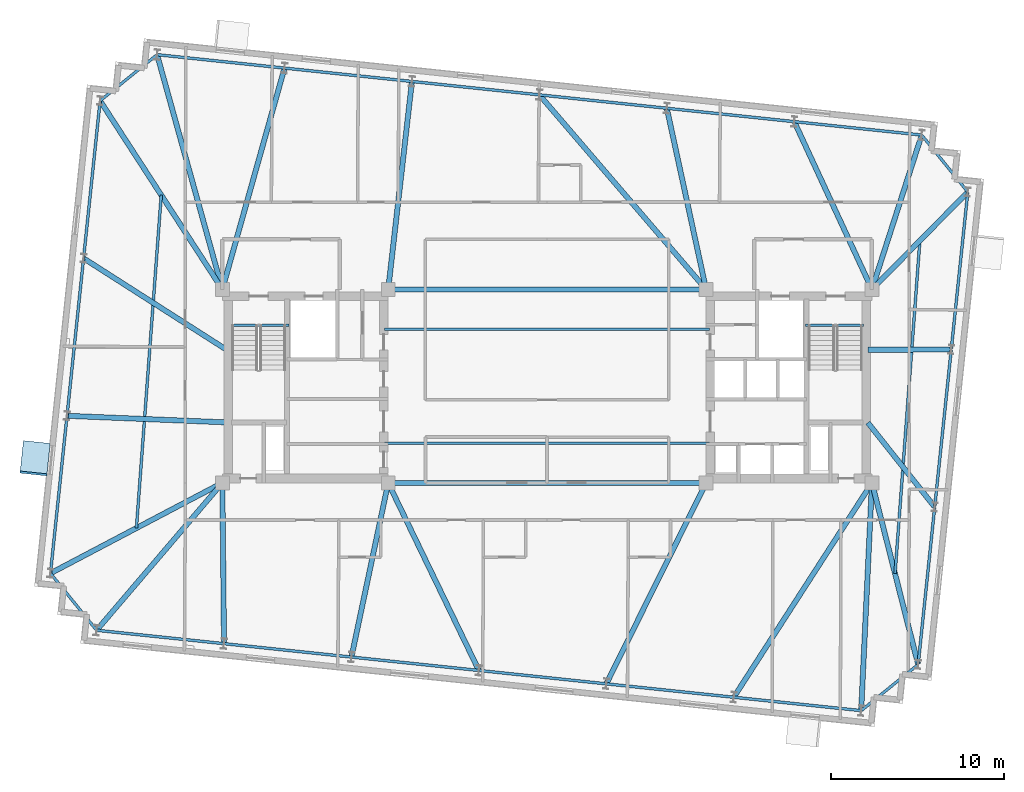
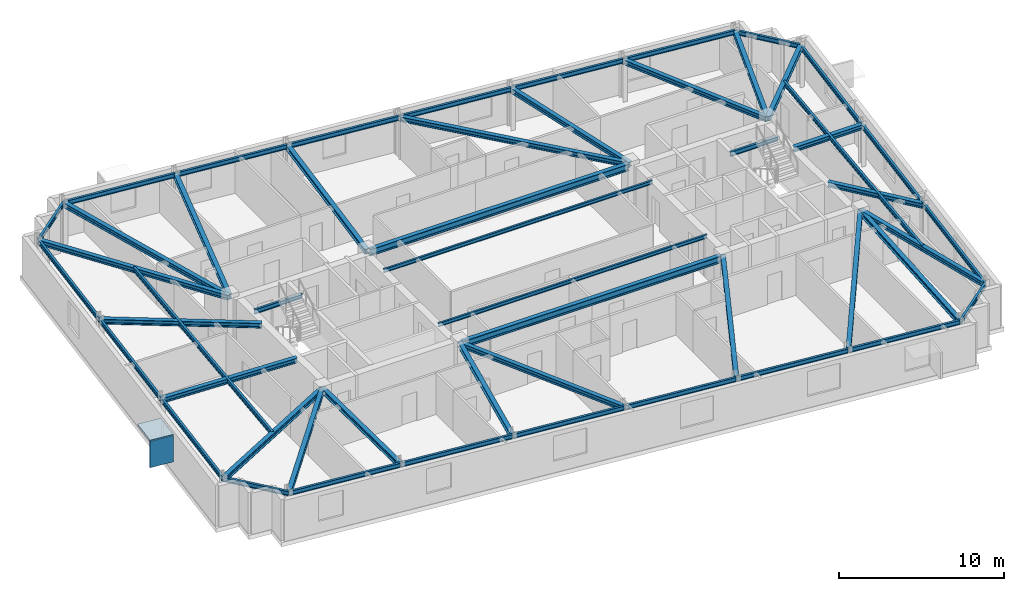
# One storey, part 4 of 11: 52 beams, 2 plates.
"""IFC4 building model written with IfcOpenShell, lengths in metres."""

from ifc_helpers import new_model, si_unit, direction, frame, origin, origin_2d, place, context, subcontext, project, spatial, rectangle, i_section, extrude, material, layer, layer_set, material_profile, profile_set, type_object, element, save


model = new_model("IFC4")

# Units and contexts
model_context = context("Model", 3, precision=1e-05, world=origin(), true_north=direction((0.0, 1.0)))
body_context = subcontext(model_context, "Body", "Model", "MODEL_VIEW")
ifc_project = project(units=[si_unit("LENGTHUNIT", "METRE"), si_unit("AREAUNIT", "SQUARE_METRE"), si_unit("VOLUMEUNIT", "CUBIC_METRE"), si_unit("PLANEANGLEUNIT", "RADIAN"), si_unit("MASSUNIT", "GRAM", prefix="KILO")], contexts=[model_context])

# Site, building, storey
site_placement = place(None, origin())
site = spatial("IfcSite", under=ifc_project, at=site_placement, CompositionType="ELEMENT")
building_placement = place(site_placement, origin())
building = spatial("IfcBuilding", under=site, at=building_placement, Name="Qobustan Lattice House", CompositionType="ELEMENT")
storey_placement = place(building_placement, frame((0.0, 0.0, 193.050048828125)))
storey = spatial("IfcBuildingStorey", under=building, at=storey_placement, Name="L54", CompositionType="ELEMENT", Elevation=193.050048828125)

# Beams
ifc_material_1 = material(Name="Steel S355", Category="steel")
ifc_material_profile_1 = material_profile(ifc_material_1, i_section(OverallWidth=0.300048828125, OverallDepth=0.5, WebThickness=0.014404296875, FlangeThickness=0.028076171875, FilletRadius=0.027099609375, at=origin_2d()), Name="HEB500")
ifc_profile_set_1 = profile_set([ifc_material_profile_1], Name="Steel S355")
beam_type_1 = type_object("IfcBeamType", Name="BM-CG-HEB500", PredefinedType="USERDEFINED", material=ifc_profile_set_1)
for number, where, z_axis, x_axis, name in (
    (1, (-9.050048828125, -5.60009765625, 2.7900390625), (1.0, 0.0, 0.0), (0.0, 1.0, 0.0), "L54 core spine girder CG-CS"),
    (2, (-9.050048828125, 5.60009765625, 2.7900390625), (1.0, 0.0, 0.0), (0.0, 1.0, 0.0), "L54 core spine girder CG-CN"),
):
    element("IfcBeam", number, at=place(storey_placement, frame(where, z_axis=z_axis, x_axis=x_axis)), inside=storey, type_object=beam_type_1, Name=name, ObjectType="GIRDER", PredefinedType="USERDEFINED", context=body_context, shape_type="SweptSolid", body=[
        extrude(i_section(OverallWidth=0.300048828125, OverallDepth=0.5, WebThickness=0.014404296875, FlangeThickness=0.028076171875, FilletRadius=0.027099609375, at=origin_2d()), origin(), (0.0, 0.0, 1.0), 18.10009765625),
    ])
ifc_material_2 = material(Name="Steel S355", Category="steel")
ifc_material_profile_2 = material_profile(ifc_material_2, i_section(OverallWidth=0.300048828125, OverallDepth=0.360107421875, WebThickness=0.012451171875, FlangeThickness=0.0224609375, FilletRadius=0.027099609375, at=origin_2d()), Name="HEB360")
ifc_profile_set_2 = profile_set([ifc_material_profile_2], Name="Steel S355")
beam_type_2 = type_object("IfcBeamType", Name="BM-FLG-HEB360", PredefinedType="USERDEFINED", material=ifc_profile_set_2)
beam_1_placement = place(storey_placement, frame((-26.062744140625, -14.113525390625, 2.85986328125), z_axis=(0.649006911642, 0.760782510736, 0.0), x_axis=(-0.760782510736, 0.649006911642, 0.0)))
element("IfcBeam", 3, at=beam_1_placement, inside=storey, type_object=beam_type_2, Name="L54 primary floor girder RAD-S1W", ObjectType="GIRDER", PredefinedType="USERDEFINED", context=body_context, shape_type="SweptSolid", body=[
    extrude(i_section(OverallWidth=0.300048828125, OverallDepth=0.360107421875, WebThickness=0.012451171875, FlangeThickness=0.0224609375, FilletRadius=0.027099609375, at=origin_2d()), origin(), (0.0, 0.0, 1.0), 11.16552734375),
])
beam_2_placement = place(storey_placement, frame((-18.703125, -14.8828125, 2.85986328125), z_axis=(-0.010442468578, 0.999945475939, 0.0), x_axis=(-0.999945475939, -0.010442468578, 0.0)))
element("IfcBeam", 4, at=beam_2_placement, inside=storey, type_object=beam_type_2, Name="L54 primary floor girder RAD-S2", ObjectType="GIRDER", PredefinedType="USERDEFINED", context=body_context, shape_type="SweptSolid", body=[
    extrude(i_section(OverallWidth=0.300048828125, OverallDepth=0.360107421875, WebThickness=0.012451171875, FlangeThickness=0.0224609375, FilletRadius=0.027099609375, at=origin_2d()), origin(), (0.0, 0.0, 1.0), 9.25830078125),
])
beam_3_placement = place(storey_placement, frame((-11.32177734375, -15.658447265625, 2.85986328125), z_axis=(0.206411213198, 0.978465334627, 0.0), x_axis=(-0.978465334627, 0.206411213198, 0.0)))
element("IfcBeam", 5, at=beam_3_placement, inside=storey, type_object=beam_type_2, Name="L54 primary floor girder RAD-S3", ObjectType="GIRDER", PredefinedType="USERDEFINED", context=body_context, shape_type="SweptSolid", body=[
    extrude(i_section(OverallWidth=0.300048828125, OverallDepth=0.360107421875, WebThickness=0.012451171875, FlangeThickness=0.0224609375, FilletRadius=0.027099609375, at=origin_2d()), origin(), (0.0, 0.0, 1.0), 10.2548828125),
])
beam_4_placement = place(storey_placement, frame((-3.9619140625, -16.435791015625, 2.85986328125), z_axis=(-0.435229353302, 0.900319615483, 0.0), x_axis=(-0.900319615483, -0.435229353302, 0.0)))
element("IfcBeam", 6, at=beam_4_placement, inside=storey, type_object=beam_type_2, Name="L54 primary floor girder RAD-S4", ObjectType="GIRDER", PredefinedType="USERDEFINED", context=body_context, shape_type="SweptSolid", body=[
    extrude(i_section(OverallWidth=0.300048828125, OverallDepth=0.360107421875, WebThickness=0.012451171875, FlangeThickness=0.0224609375, FilletRadius=0.027099609375, at=origin_2d()), origin(), (0.0, 0.0, 1.0), 12.010498046875),
])
beam_5_placement = place(storey_placement, frame((3.436279296875, -17.211181640625, 2.85986328125), z_axis=(0.444630337125, 0.895714163843, 0.0), x_axis=(-0.895714163843, 0.444630337125, 0.0)))
element("IfcBeam", 7, at=beam_5_placement, inside=storey, type_object=beam_type_2, Name="L54 primary floor girder RAD-S5", ObjectType="GIRDER", PredefinedType="USERDEFINED", context=body_context, shape_type="SweptSolid", body=[
    extrude(i_section(OverallWidth=0.300048828125, OverallDepth=0.360107421875, WebThickness=0.012451171875, FlangeThickness=0.0224609375, FilletRadius=0.027099609375, at=origin_2d()), origin(), (0.0, 0.0, 1.0), 12.938232421875),
])
beam_6_placement = place(storey_placement, frame((10.814697265625, -17.98779296875, 2.85986328125), z_axis=(0.541810491961, 0.840500678644, 0.0), x_axis=(-0.840500678644, 0.541810491961, 0.0)))
element("IfcBeam", 8, at=beam_6_placement, inside=storey, type_object=beam_type_2, Name="L54 primary floor girder RAD-S6", ObjectType="GIRDER", PredefinedType="USERDEFINED", context=body_context, shape_type="SweptSolid", body=[
    extrude(i_section(OverallWidth=0.300048828125, OverallDepth=0.360107421875, WebThickness=0.012451171875, FlangeThickness=0.0224609375, FilletRadius=0.027099609375, at=origin_2d()), origin(), (0.0, 0.0, 1.0), 14.71337890625),
])
beam_7_placement = place(storey_placement, frame((18.178466796875, -18.759033203125, 2.85986328125), z_axis=(0.047180517312, 0.998886379318, 0.0), x_axis=(-0.998886379318, 0.047180517312, 0.0)))
element("IfcBeam", 9, at=beam_7_placement, inside=storey, type_object=beam_type_2, Name="L54 primary floor girder RAD-S7E", ObjectType="GIRDER", PredefinedType="USERDEFINED", context=body_context, shape_type="SweptSolid", body=[
    extrude(i_section(OverallWidth=0.300048828125, OverallDepth=0.360107421875, WebThickness=0.012451171875, FlangeThickness=0.0224609375, FilletRadius=0.027099609375, at=origin_2d()), origin(), (0.0, 0.0, 1.0), 13.148681640625),
])
beam_8_placement = place(storey_placement, frame((-22.570556640625, 19.159912109375, 2.85986328125), z_axis=(0.267904661715, -0.963445427739, 0.0), x_axis=(0.963445427739, 0.267904661715, 0.0)))
element("IfcBeam", 10, at=beam_8_placement, inside=storey, type_object=beam_type_2, Name="L54 primary floor girder RAD-N7W", ObjectType="GIRDER", PredefinedType="USERDEFINED", context=body_context, shape_type="SweptSolid", body=[
    extrude(i_section(OverallWidth=0.300048828125, OverallDepth=0.360107421875, WebThickness=0.012451171875, FlangeThickness=0.0224609375, FilletRadius=0.027099609375, at=origin_2d()), origin(), (0.0, 0.0, 1.0), 14.049560546875),
])
beam_9_placement = place(storey_placement, frame((-15.2080078125, 18.384521484375, 2.85986328125), z_axis=(-0.270487929903, -0.962723366174, 0.0), x_axis=(0.962723366174, -0.270487929903, 0.0)))
element("IfcBeam", 11, at=beam_9_placement, inside=storey, type_object=beam_type_2, Name="L54 primary floor girder RAD-N6", ObjectType="GIRDER", PredefinedType="USERDEFINED", context=body_context, shape_type="SweptSolid", body=[
    extrude(i_section(OverallWidth=0.300048828125, OverallDepth=0.360107421875, WebThickness=0.012451171875, FlangeThickness=0.0224609375, FilletRadius=0.027099609375, at=origin_2d()), origin(), (0.0, 0.0, 1.0), 13.254638671875),
])
beam_10_placement = place(storey_placement, frame((-7.827880859375, 17.608642578125, 2.85986328125), z_axis=(-0.11353003651, -0.993534564477, 0.0), x_axis=(0.993534564477, -0.11353003651, 0.0)))
element("IfcBeam", 12, at=beam_10_placement, inside=storey, type_object=beam_type_2, Name="L54 primary floor girder RAD-N5", ObjectType="GIRDER", PredefinedType="USERDEFINED", context=body_context, shape_type="SweptSolid", body=[
    extrude(i_section(OverallWidth=0.300048828125, OverallDepth=0.360107421875, WebThickness=0.012451171875, FlangeThickness=0.0224609375, FilletRadius=0.027099609375, at=origin_2d()), origin(), (0.0, 0.0, 1.0), 12.061767578125),
])
beam_11_placement = place(storey_placement, frame((-0.432861328125, 16.839111328125, 2.85986328125), z_axis=(0.650757358368, -0.759285756833, 0.0), x_axis=(0.759285756833, 0.650757358368, 0.0)))
element("IfcBeam", 13, at=beam_11_placement, inside=storey, type_object=beam_type_2, Name="L54 primary floor girder RAD-N4", ObjectType="GIRDER", PredefinedType="USERDEFINED", context=body_context, shape_type="SweptSolid", body=[
    extrude(i_section(OverallWidth=0.300048828125, OverallDepth=0.360107421875, WebThickness=0.012451171875, FlangeThickness=0.0224609375, FilletRadius=0.027099609375, at=origin_2d()), origin(), (0.0, 0.0, 1.0), 14.77734375),
])
beam_12_placement = place(storey_placement, frame((6.93212890625, 16.05859375, 2.85986328125), z_axis=(0.211908420044, -0.977289527988, 0.0), x_axis=(0.977289527988, 0.211908420044, 0.0)))
element("IfcBeam", 14, at=beam_12_placement, inside=storey, type_object=beam_type_2, Name="L54 primary floor girder RAD-N3", ObjectType="GIRDER", PredefinedType="USERDEFINED", context=body_context, shape_type="SweptSolid", body=[
    extrude(i_section(OverallWidth=0.300048828125, OverallDepth=0.360107421875, WebThickness=0.012451171875, FlangeThickness=0.0224609375, FilletRadius=0.027099609375, at=origin_2d()), origin(), (0.0, 0.0, 1.0), 10.676513671875),
])
beam_13_placement = place(storey_placement, frame((14.3134765625, 15.284912109375, 2.85986328125), z_axis=(0.420345924661, -0.907363931188, 0.0), x_axis=(0.907363931188, 0.420345924661, 0.0)))
element("IfcBeam", 15, at=beam_13_placement, inside=storey, type_object=beam_type_2, Name="L54 primary floor girder RAD-N2", ObjectType="GIRDER", PredefinedType="USERDEFINED", context=body_context, shape_type="SweptSolid", body=[
    extrude(i_section(OverallWidth=0.300048828125, OverallDepth=0.360107421875, WebThickness=0.012451171875, FlangeThickness=0.0224609375, FilletRadius=0.027099609375, at=origin_2d()), origin(), (0.0, 0.0, 1.0), 10.6484375),
])
beam_14_placement = place(storey_placement, frame((21.67138671875, 14.5087890625, 2.85986328125), z_axis=(-0.306773532579, -0.951782538035, 0.0), x_axis=(0.951782538035, -0.306773532579, 0.0)))
element("IfcBeam", 16, at=beam_14_placement, inside=storey, type_object=beam_type_2, Name="L54 primary floor girder RAD-N1E", ObjectType="GIRDER", PredefinedType="USERDEFINED", context=body_context, shape_type="SweptSolid", body=[
    extrude(i_section(OverallWidth=0.300048828125, OverallDepth=0.360107421875, WebThickness=0.012451171875, FlangeThickness=0.0224609375, FilletRadius=0.027099609375, at=origin_2d()), origin(), (0.0, 0.0, 1.0), 9.335205078125),
])
beam_15_placement = place(storey_placement, frame((-25.86083984375, 16.492919921875, 2.85986328125), z_axis=(0.543926170046, -0.839133077371, 0.0), x_axis=(0.839133077371, 0.543926170046, 0.0)))
element("IfcBeam", 17, at=beam_15_placement, inside=storey, type_object=beam_type_2, Name="L54 primary floor girder RAD-W1", ObjectType="GIRDER", PredefinedType="USERDEFINED", context=body_context, shape_type="SweptSolid", body=[
    extrude(i_section(OverallWidth=0.300048828125, OverallDepth=0.360107421875, WebThickness=0.012451171875, FlangeThickness=0.0224609375, FilletRadius=0.027099609375, at=origin_2d()), origin(), (0.0, 0.0, 1.0), 12.9560546875),
])
beam_16_placement = place(storey_placement, frame((-26.8115234375, 7.384033203125, 2.85986328125), z_axis=(0.842429105495, -0.538807203195, 0.0), x_axis=(0.538807203195, 0.842429105495, 0.0)))
element("IfcBeam", 18, at=beam_16_placement, inside=storey, type_object=beam_type_2, Name="L54 primary floor girder RAD-W2", ObjectType="GIRDER", PredefinedType="USERDEFINED", context=body_context, shape_type="SweptSolid", body=[
    extrude(i_section(OverallWidth=0.300048828125, OverallDepth=0.360107421875, WebThickness=0.012451171875, FlangeThickness=0.0224609375, FilletRadius=0.027099609375, at=origin_2d()), origin(), (0.0, 0.0, 1.0), 9.78173828125),
])
beam_17_placement = place(storey_placement, frame((-27.765869140625, -1.719970703125, 2.85986328125), z_axis=(0.999150190925, -0.041217665795, 0.0), x_axis=(0.041217665795, 0.999150190925, 0.0)))
element("IfcBeam", 19, at=beam_17_placement, inside=storey, type_object=beam_type_2, Name="L54 primary floor girder RAD-W3", ObjectType="GIRDER", PredefinedType="USERDEFINED", context=body_context, shape_type="SweptSolid", body=[
    extrude(i_section(OverallWidth=0.300048828125, OverallDepth=0.360107421875, WebThickness=0.012451171875, FlangeThickness=0.0224609375, FilletRadius=0.027099609375, at=origin_2d()), origin(), (0.0, 0.0, 1.0), 9.19873046875),
])
beam_18_placement = place(storey_placement, frame((-28.726806640625, -10.82373046875, 2.85986328125), z_axis=(0.884950868639, 0.465684399669, 0.0), x_axis=(-0.465684399669, 0.884950868639, 0.0)))
element("IfcBeam", 20, at=beam_18_placement, inside=storey, type_object=beam_type_2, Name="L54 primary floor girder RAD-W4", ObjectType="GIRDER", PredefinedType="USERDEFINED", context=body_context, shape_type="SweptSolid", body=[
    extrude(i_section(OverallWidth=0.300048828125, OverallDepth=0.360107421875, WebThickness=0.012451171875, FlangeThickness=0.0224609375, FilletRadius=0.027099609375, at=origin_2d()), origin(), (0.0, 0.0, 1.0), 11.1923828125),
])
beam_19_placement = place(storey_placement, frame((24.331298828125, 11.217529296875, 2.85986328125), z_axis=(-0.701633616284, -0.712537906712, 0.0), x_axis=(0.712537906712, -0.701633616284, 0.0)))
element("IfcBeam", 21, at=beam_19_placement, inside=storey, type_object=beam_type_2, Name="L54 primary floor girder RAD-E4", ObjectType="GIRDER", PredefinedType="USERDEFINED", context=body_context, shape_type="SweptSolid", body=[
    extrude(i_section(OverallWidth=0.300048828125, OverallDepth=0.360107421875, WebThickness=0.012451171875, FlangeThickness=0.0224609375, FilletRadius=0.027099609375, at=origin_2d()), origin(), (0.0, 0.0, 1.0), 7.858642578125),
])
beam_20_placement = place(storey_placement, frame((23.36572265625, 2.118896484375, 2.85986328125), z_axis=(-0.999992301331, -0.003923936564, 0.0), x_axis=(0.003923936564, -0.999992301331, 0.0)))
element("IfcBeam", 22, at=beam_20_placement, inside=storey, type_object=beam_type_2, Name="L54 primary floor girder RAD-E3", ObjectType="GIRDER", PredefinedType="USERDEFINED", context=body_context, shape_type="SweptSolid", body=[
    extrude(i_section(OverallWidth=0.300048828125, OverallDepth=0.360107421875, WebThickness=0.012451171875, FlangeThickness=0.0224609375, FilletRadius=0.027099609375, at=origin_2d()), origin(), (0.0, 0.0, 1.0), 4.790771484375),
])
beam_21_placement = place(storey_placement, frame((22.4169921875, -6.97802734375, 2.85986328125), z_axis=(-0.621231320857, 0.783627236629, 0.0), x_axis=(-0.783627236629, -0.621231320857, 0.0)))
element("IfcBeam", 23, at=beam_21_placement, inside=storey, type_object=beam_type_2, Name="L54 primary floor girder RAD-E2", ObjectType="GIRDER", PredefinedType="USERDEFINED", context=body_context, shape_type="SweptSolid", body=[
    extrude(i_section(OverallWidth=0.300048828125, OverallDepth=0.360107421875, WebThickness=0.012451171875, FlangeThickness=0.0224609375, FilletRadius=0.027099609375, at=origin_2d()), origin(), (0.0, 0.0, 1.0), 6.199951171875),
])
beam_22_placement = place(storey_placement, frame((21.46826171875, -16.08984375, 2.85986328125), z_axis=(-0.246517911643, 0.969138235361, 0.0), x_axis=(-0.969138235361, -0.246517911643, 0.0)))
element("IfcBeam", 24, at=beam_22_placement, inside=storey, type_object=beam_type_2, Name="L54 primary floor girder RAD-E1", ObjectType="GIRDER", PredefinedType="USERDEFINED", context=body_context, shape_type="SweptSolid", body=[
    extrude(i_section(OverallWidth=0.300048828125, OverallDepth=0.360107421875, WebThickness=0.012451171875, FlangeThickness=0.0224609375, FilletRadius=0.027099609375, at=origin_2d()), origin(), (0.0, 0.0, 1.0), 10.798828125),
])
ifc_material_3 = material(Name="Steel S355", Category="steel")
ifc_material_profile_3 = material_profile(ifc_material_3, i_section(OverallWidth=0.135009765625, OverallDepth=0.27001953125, WebThickness=0.006591796875, FlangeThickness=0.01025390625, FilletRadius=0.014892578125, at=origin_2d()), Name="IPE270")
ifc_profile_set_3 = profile_set([ifc_material_profile_3], Name="Steel S355")
beam_type_3 = type_object("IfcBeamType", Name="BM-JST-IPE270", PredefinedType="JOIST", material=ifc_profile_set_3)
for number, where, z_axis, x_axis, name in (
    (25, (-9.39990234375, -3.300048828125, 2.905029296875), (1.0, 0.0, 0.0), (0.0, 1.0, 0.0), "L54 central span floor joist 1"),
    (26, (-9.39990234375, 3.300048828125, 2.905029296875), (1.0, 0.0, 0.0), (0.0, 1.0, 0.0), "L54 central span floor joist 2"),
):
    element("IfcBeam", number, at=place(storey_placement, frame(where, z_axis=z_axis, x_axis=x_axis)), inside=storey, type_object=beam_type_3, Name=name, PredefinedType="JOIST", context=body_context, shape_type="SweptSolid", body=[
        extrude(i_section(OverallWidth=0.135009765625, OverallDepth=0.27001953125, WebThickness=0.006591796875, FlangeThickness=0.01025390625, FilletRadius=0.014892578125, at=origin_2d()), origin(), (0.0, 0.0, 1.0), 18.7998046875),
    ])
ifc_material_4 = material(Name="Steel S355", Category="steel")
ifc_material_profile_4 = material_profile(ifc_material_4, i_section(OverallWidth=0.159912109375, OverallDepth=0.330078125, WebThickness=0.007568359375, FlangeThickness=0.011474609375, FilletRadius=0.01806640625, at=origin_2d()), Name="IPE330")
ifc_profile_set_4 = profile_set([ifc_material_profile_4], Name="Steel S355")
beam_type_4 = type_object("IfcBeamType", Name="BM-SEC-IPE330", PredefinedType="BEAM", material=ifc_profile_set_4)
beam_23_placement = place(storey_placement, frame((-22.337158203125, 11.056884765625, 2.875), z_axis=(-0.074361616657, -0.997231342251, 0.0), x_axis=(0.997231342251, -0.074361616657, 0.0)))
element("IfcBeam", 27, at=beam_23_placement, inside=storey, type_object=beam_type_4, Name="L54 west wing secondary beam", PredefinedType="BEAM", context=body_context, shape_type="SweptSolid", body=[
    extrude(i_section(OverallWidth=0.159912109375, OverallDepth=0.330078125, WebThickness=0.007568359375, FlangeThickness=0.011474609375, FilletRadius=0.01806640625, at=origin_2d()), origin(), (0.0, 0.0, 1.0), 19.327880859375),
])
beam_24_placement = place(storey_placement, frame((21.574462890625, 8.417724609375, 2.875), z_axis=(-0.074360679971, -0.997231412098, 0.0), x_axis=(0.997231412098, -0.074360679971, 0.0)))
element("IfcBeam", 28, at=beam_24_placement, inside=storey, type_object=beam_type_4, Name="L54 east wing secondary beam", PredefinedType="BEAM", context=body_context, shape_type="SweptSolid", body=[
    extrude(i_section(OverallWidth=0.159912109375, OverallDepth=0.330078125, WebThickness=0.007568359375, FlangeThickness=0.011474609375, FilletRadius=0.01806640625, at=origin_2d()), origin(), (0.0, 0.0, 1.0), 19.328125),
])
ifc_material_5 = material(Name="Steel S355", Category="steel")
ifc_material_profile_5 = material_profile(ifc_material_5, i_section(OverallWidth=0.159912109375, OverallDepth=0.330078125, WebThickness=0.007568359375, FlangeThickness=0.011474609375, FilletRadius=0.01806640625, at=origin_2d()), Name="IPE330")
ifc_profile_set_5 = profile_set([ifc_material_profile_5], Name="Steel S355")
beam_type_5 = type_object("IfcBeamType", Name="BM-SPD-IPE330", PredefinedType="SPANDREL", material=ifc_profile_set_5)
for number, where, z_axis, x_axis, name in (
    (29, (-18.300048828125, 3.52001953125, 2.875), (1.0, 0.0, 0.0), (0.0, 1.0, 0.0), "L54 west stair landing trimmer beam"),
    (30, (14.949951171875, 3.52001953125, 2.875), (1.0, 0.0, 0.0), (0.0, 1.0, 0.0), "L54 east stair landing trimmer beam"),
):
    element("IfcBeam", number, at=place(storey_placement, frame(where, z_axis=z_axis, x_axis=x_axis)), inside=storey, type_object=beam_type_5, Name=name, PredefinedType="SPANDREL", context=body_context, shape_type="SweptSolid", body=[
        extrude(i_section(OverallWidth=0.159912109375, OverallDepth=0.330078125, WebThickness=0.007568359375, FlangeThickness=0.011474609375, FilletRadius=0.01806640625, at=origin_2d()), origin(), (0.0, 0.0, 1.0), 3.35009765625),
    ])
beam_25_placement = place(storey_placement, frame((-26.05419921875, -14.135009765625, 2.875), z_axis=(0.99452214685, -0.104526070551, 0.0), x_axis=(0.104526070551, 0.99452214685, 0.0)))
element("IfcBeam", 31, at=beam_25_placement, inside=storey, type_object=beam_type_5, Name="L54 perimeter spandrel S1-S2", PredefinedType="SPANDREL", context=body_context, shape_type="SweptSolid", body=[
    extrude(i_section(OverallWidth=0.159912109375, OverallDepth=0.330078125, WebThickness=0.007568359375, FlangeThickness=0.011474609375, FilletRadius=0.01806640625, at=origin_2d()), origin(), (0.0, 0.0, 1.0), 7.36669921875),
])
for number, where, z_axis, x_axis, name in (
    (32, (-18.677978515625, -14.910400390625, 2.875), (0.994521784746, -0.104529515765, 0.0), (0.104529515765, 0.994521784746, 0.0), "L54 perimeter spandrel S2-S3"),
    (33, (-11.302001953125, -15.685546875, 2.875), (0.994521784746, -0.104529515765, 0.0), (0.104529515765, 0.994521784746, 0.0), "L54 perimeter spandrel S3-S4"),
):
    element("IfcBeam", number, at=place(storey_placement, frame(where, z_axis=z_axis, x_axis=x_axis)), inside=storey, type_object=beam_type_5, Name=name, PredefinedType="SPANDREL", context=body_context, shape_type="SweptSolid", body=[
        extrude(i_section(OverallWidth=0.159912109375, OverallDepth=0.330078125, WebThickness=0.007568359375, FlangeThickness=0.011474609375, FilletRadius=0.01806640625, at=origin_2d()), origin(), (0.0, 0.0, 1.0), 7.366455078125),
    ])
beam_26_placement = place(storey_placement, frame((-3.926025390625, -16.460693359375, 2.875), z_axis=(0.99451870122, -0.10455884909, 0.0), x_axis=(0.10455884909, 0.99451870122, 0.0)))
element("IfcBeam", 34, at=beam_26_placement, inside=storey, type_object=beam_type_5, Name="L54 perimeter spandrel S4-S5", PredefinedType="SPANDREL", context=body_context, shape_type="SweptSolid", body=[
    extrude(i_section(OverallWidth=0.159912109375, OverallDepth=0.330078125, WebThickness=0.007568359375, FlangeThickness=0.011474609375, FilletRadius=0.01806640625, at=origin_2d()), origin(), (0.0, 0.0, 1.0), 7.36669921875),
])
for number, where, z_axis, x_axis, name in (
    (35, (3.4501953125, -17.236083984375, 2.875), (0.994521784746, -0.104529515765, 0.0), (0.104529515765, 0.994521784746, 0.0), "L54 perimeter spandrel S5-S6"),
    (36, (10.826171875, -18.01123046875, 2.875), (0.99451833889, -0.104562295361, 0.0), (0.104562295361, 0.99451833889, 0.0), "L54 perimeter spandrel S6-S7"),
):
    element("IfcBeam", number, at=place(storey_placement, frame(where, z_axis=z_axis, x_axis=x_axis)), inside=storey, type_object=beam_type_5, Name=name, PredefinedType="SPANDREL", context=body_context, shape_type="SweptSolid", body=[
        extrude(i_section(OverallWidth=0.159912109375, OverallDepth=0.330078125, WebThickness=0.007568359375, FlangeThickness=0.011474609375, FilletRadius=0.01806640625, at=origin_2d()), origin(), (0.0, 0.0, 1.0), 7.366455078125),
    ])
beam_27_placement = place(storey_placement, frame((18.19677734375, -18.768310546875, 2.875), z_axis=(0.777128239225, 0.629342275554, 0.0), x_axis=(-0.629342275554, 0.777128239225, 0.0)))
element("IfcBeam", 37, at=beam_27_placement, inside=storey, type_object=beam_type_5, Name="L54 perimeter spandrel S7-E1", PredefinedType="SPANDREL", context=body_context, shape_type="SweptSolid", body=[
    extrude(i_section(OverallWidth=0.159912109375, OverallDepth=0.330078125, WebThickness=0.007568359375, FlangeThickness=0.011474609375, FilletRadius=0.01806640625, at=origin_2d()), origin(), (0.0, 0.0, 1.0), 4.192626953125),
])
for number, where, z_axis, x_axis, name in (
    (38, (21.47705078125, -16.089111328125, 2.875), (0.10452168293, 0.994522607987, 0.0), (-0.994522607987, 0.10452168293, 0.0), "L54 perimeter spandrel E1-E2"),
    (39, (22.435302734375, -6.97265625, 2.875), (0.10452168293, 0.994522607987, 0.0), (-0.994522607987, 0.10452168293, 0.0), "L54 perimeter spandrel E2-E3"),
    (40, (23.393310546875, 2.143798828125, 2.875), (0.10452168293, 0.994522607987, 0.0), (-0.994522607987, 0.10452168293, 0.0), "L54 perimeter spandrel E3-E4"),
):
    element("IfcBeam", number, at=place(storey_placement, frame(where, z_axis=z_axis, x_axis=x_axis)), inside=storey, type_object=beam_type_5, Name=name, PredefinedType="SPANDREL", context=body_context, shape_type="SweptSolid", body=[
        extrude(i_section(OverallWidth=0.159912109375, OverallDepth=0.330078125, WebThickness=0.007568359375, FlangeThickness=0.011474609375, FilletRadius=0.01806640625, at=origin_2d()), origin(), (0.0, 0.0, 1.0), 9.11669921875),
    ])
beam_28_placement = place(storey_placement, frame((24.333251953125, 11.254638671875, 2.875), z_axis=(-0.629313797654, 0.777151300637, 0.0), x_axis=(-0.777151300637, -0.629313797654, 0.0)))
element("IfcBeam", 41, at=beam_28_placement, inside=storey, type_object=beam_type_5, Name="L54 perimeter spandrel E4-N1", PredefinedType="SPANDREL", context=body_context, shape_type="SweptSolid", body=[
    extrude(i_section(OverallWidth=0.159912109375, OverallDepth=0.330078125, WebThickness=0.007568359375, FlangeThickness=0.011474609375, FilletRadius=0.01806640625, at=origin_2d()), origin(), (0.0, 0.0, 1.0), 4.19287109375),
])
for number, where, z_axis, x_axis, name in (
    (42, (21.654052734375, 14.53515625, 2.875), (-0.994521784746, 0.104529515765, 0.0), (-0.104529515765, -0.994521784746, 0.0), "L54 perimeter spandrel N1-N2"),
    (43, (14.278076171875, 15.310302734375, 2.875), (-0.994521784746, 0.104529515765, 0.0), (-0.104529515765, -0.994521784746, 0.0), "L54 perimeter spandrel N2-N3"),
):
    element("IfcBeam", number, at=place(storey_placement, frame(where, z_axis=z_axis, x_axis=x_axis)), inside=storey, type_object=beam_type_5, Name=name, PredefinedType="SPANDREL", context=body_context, shape_type="SweptSolid", body=[
        extrude(i_section(OverallWidth=0.159912109375, OverallDepth=0.330078125, WebThickness=0.007568359375, FlangeThickness=0.011474609375, FilletRadius=0.01806640625, at=origin_2d()), origin(), (0.0, 0.0, 1.0), 7.366455078125),
    ])
beam_29_placement = place(storey_placement, frame((6.902099609375, 16.085693359375, 2.875), z_axis=(-0.99452214685, 0.104526070551, 0.0), x_axis=(-0.104526070551, -0.99452214685, 0.0)))
element("IfcBeam", 44, at=beam_29_placement, inside=storey, type_object=beam_type_5, Name="L54 perimeter spandrel N3-N4", PredefinedType="SPANDREL", context=body_context, shape_type="SweptSolid", body=[
    extrude(i_section(OverallWidth=0.159912109375, OverallDepth=0.330078125, WebThickness=0.007568359375, FlangeThickness=0.011474609375, FilletRadius=0.01806640625, at=origin_2d()), origin(), (0.0, 0.0, 1.0), 7.36669921875),
])
for number, where, z_axis, x_axis, name in (
    (45, (-0.47412109375, 16.86083984375, 2.875), (-0.994521784746, 0.104529515765, 0.0), (-0.104529515765, -0.994521784746, 0.0), "L54 perimeter spandrel N4-N5"),
    (46, (-7.85009765625, 17.635986328125, 2.875), (-0.994521784746, 0.104529515765, 0.0), (-0.104529515765, -0.994521784746, 0.0), "L54 perimeter spandrel N5-N6"),
):
    element("IfcBeam", number, at=place(storey_placement, frame(where, z_axis=z_axis, x_axis=x_axis)), inside=storey, type_object=beam_type_5, Name=name, PredefinedType="SPANDREL", context=body_context, shape_type="SweptSolid", body=[
        extrude(i_section(OverallWidth=0.159912109375, OverallDepth=0.330078125, WebThickness=0.007568359375, FlangeThickness=0.011474609375, FilletRadius=0.01806640625, at=origin_2d()), origin(), (0.0, 0.0, 1.0), 7.366455078125),
    ])
beam_30_placement = place(storey_placement, frame((-15.22607421875, 18.411376953125, 2.875), z_axis=(-0.99452214685, 0.104526070551, 0.0), x_axis=(-0.104526070551, -0.99452214685, 0.0)))
element("IfcBeam", 47, at=beam_30_placement, inside=storey, type_object=beam_type_5, Name="L54 perimeter spandrel N6-N7", PredefinedType="SPANDREL", context=body_context, shape_type="SweptSolid", body=[
    extrude(i_section(OverallWidth=0.159912109375, OverallDepth=0.330078125, WebThickness=0.007568359375, FlangeThickness=0.011474609375, FilletRadius=0.01806640625, at=origin_2d()), origin(), (0.0, 0.0, 1.0), 7.36669921875),
])
beam_31_placement = place(storey_placement, frame((-22.5966796875, 19.168212890625, 2.875), z_axis=(-0.777156718239, -0.629307107299, 0.0), x_axis=(0.629307107299, -0.777156718239, 0.0)))
element("IfcBeam", 48, at=beam_31_placement, inside=storey, type_object=beam_type_5, Name="L54 perimeter spandrel N7-W1", PredefinedType="SPANDREL", context=body_context, shape_type="SweptSolid", body=[
    extrude(i_section(OverallWidth=0.159912109375, OverallDepth=0.330078125, WebThickness=0.007568359375, FlangeThickness=0.011474609375, FilletRadius=0.01806640625, at=origin_2d()), origin(), (0.0, 0.0, 1.0), 4.192626953125),
])
beam_32_placement = place(storey_placement, frame((-25.876953125, 16.489013671875, 2.875), z_axis=(-0.104550954592, -0.994519531178, 0.0), x_axis=(0.994519531178, -0.104550954592, 0.0)))
element("IfcBeam", 49, at=beam_32_placement, inside=storey, type_object=beam_type_5, Name="L54 perimeter spandrel W1-W2", PredefinedType="SPANDREL", context=body_context, shape_type="SweptSolid", body=[
    extrude(i_section(OverallWidth=0.159912109375, OverallDepth=0.330078125, WebThickness=0.007568359375, FlangeThickness=0.011474609375, FilletRadius=0.01806640625, at=origin_2d()), origin(), (0.0, 0.0, 1.0), 9.116455078125),
])
beam_33_placement = place(storey_placement, frame((-26.835205078125, 7.372802734375, 2.875), z_axis=(-0.104518899262, -0.994522900539, 0.0), x_axis=(0.994522900539, -0.104518899262, 0.0)))
element("IfcBeam", 50, at=beam_33_placement, inside=storey, type_object=beam_type_5, Name="L54 perimeter spandrel W2-W3", PredefinedType="SPANDREL", context=body_context, shape_type="SweptSolid", body=[
    extrude(i_section(OverallWidth=0.159912109375, OverallDepth=0.330078125, WebThickness=0.007568359375, FlangeThickness=0.011474609375, FilletRadius=0.01806640625, at=origin_2d()), origin(), (0.0, 0.0, 1.0), 9.116943359375),
])
beam_34_placement = place(storey_placement, frame((-27.79345703125, -1.743896484375, 2.875), z_axis=(-0.104524466745, -0.994522315412, 0.0), x_axis=(0.994522315412, -0.104524466745, 0.0)))
element("IfcBeam", 51, at=beam_34_placement, inside=storey, type_object=beam_type_5, Name="L54 perimeter spandrel W3-W4", PredefinedType="SPANDREL", context=body_context, shape_type="SweptSolid", body=[
    extrude(i_section(OverallWidth=0.159912109375, OverallDepth=0.330078125, WebThickness=0.007568359375, FlangeThickness=0.011474609375, FilletRadius=0.01806640625, at=origin_2d()), origin(), (0.0, 0.0, 1.0), 9.116455078125),
])
beam_35_placement = place(storey_placement, frame((-28.733154296875, -10.854736328125, 2.875), z_axis=(0.629307107299, -0.777156718239, 0.0), x_axis=(0.777156718239, 0.629307107299, 0.0)))
element("IfcBeam", 52, at=beam_35_placement, inside=storey, type_object=beam_type_5, Name="L54 perimeter spandrel W4-S1", PredefinedType="SPANDREL", context=body_context, shape_type="SweptSolid", body=[
    extrude(i_section(OverallWidth=0.159912109375, OverallDepth=0.330078125, WebThickness=0.007568359375, FlangeThickness=0.011474609375, FilletRadius=0.01806640625, at=origin_2d()), origin(), (0.0, 0.0, 1.0), 4.192626953125),
])

# Plates
ifc_material_6 = material(Name="Qobustan limestone GFRC", Category="masonry")
ifc_layer = layer(ifc_material_6, 0.1201171875)
ifc_layer_set = layer_set([ifc_layer], Name="Qobustan limestone GFRC")
plate_type = type_object("IfcPlateType", Name="SHD-HOOD-BROW", PredefinedType="USERDEFINED", material=ifc_layer_set)
plate_1_placement = place(storey_placement, frame((-29.6376953125, -4.176025390625, 2.699951171875), z_axis=(0.0, 0.0, 1.0), x_axis=(0.104528463268, 0.994521895368, 0.0)))
element("IfcPlate", 53, at=plate_1_placement, inside=storey, type_object=plate_type, Name="L54 splayed Qobustan stone hood brow", ObjectType="SUNSHADE", PredefinedType="USERDEFINED", context=body_context, shape_type="SweptSolid", body=[
    extrude(rectangle(XDim=1.889892578125, YDim=1.56005859375, at=origin_2d()), origin(), (0.0, 0.0, 1.0), 0.1201171875),
])
plate_2_placement = place(storey_placement, frame((-29.730224609375, -5.05615234375, 0.7900390625), z_axis=(0.0, 0.0, 1.0), x_axis=(0.104528463268, 0.994521895368, 0.0)))
element("IfcPlate", 54, at=plate_2_placement, inside=storey, type_object=plate_type, Name="L54 splayed Qobustan stone hood cheek", ObjectType="SUNSHADE", PredefinedType="USERDEFINED", context=body_context, shape_type="SweptSolid", body=[
    extrude(rectangle(XDim=0.1201171875, YDim=1.56005859375, at=origin_2d()), origin(), (0.0, 0.0, 1.0), 1.969970703125),
])

save(model, "model.ifc")
